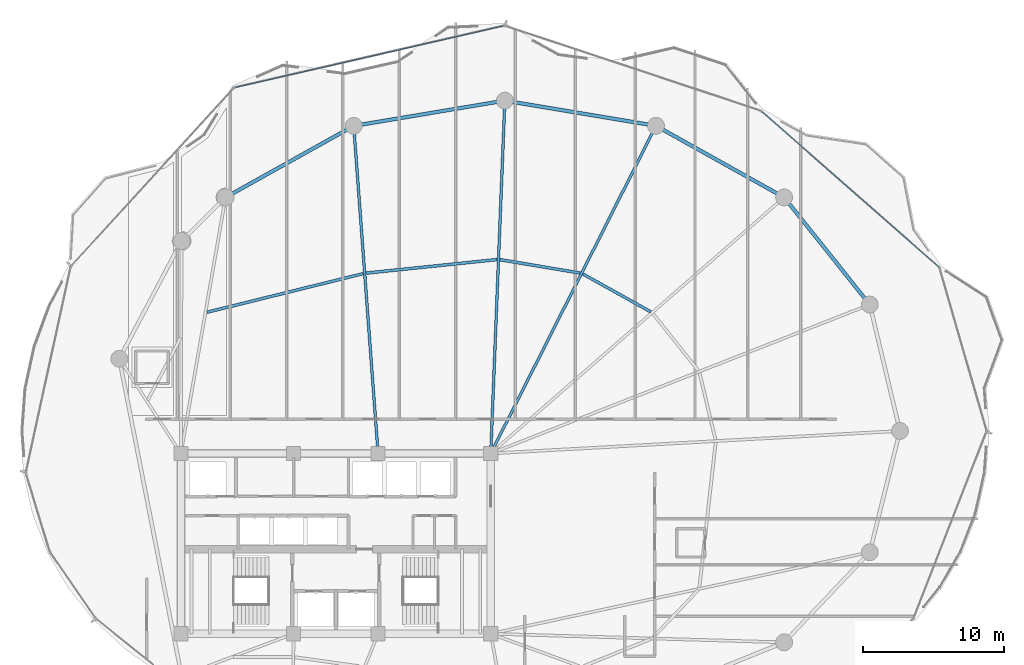
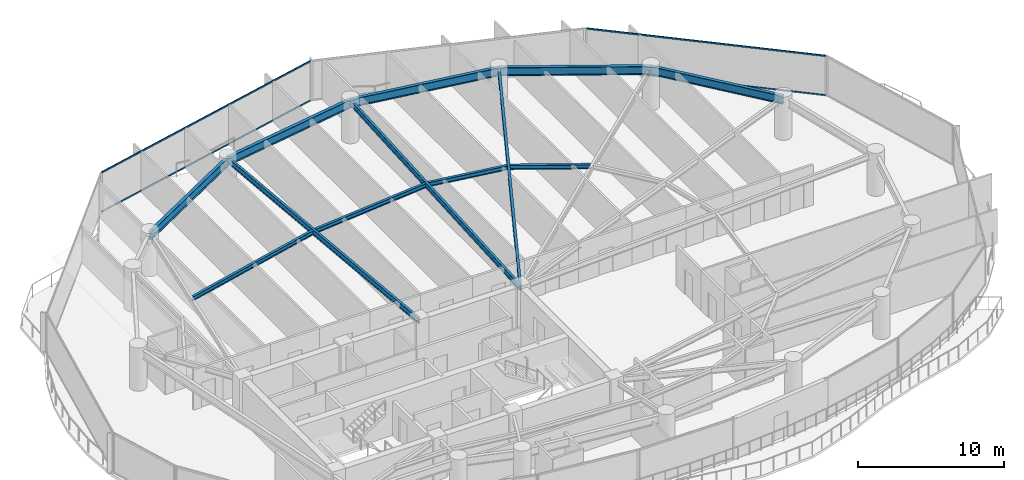
# One storey, part 20 of 34: 12 beams, 4 members, 2 elements without a shape of their own.
"""IFC4 building model written with IfcOpenShell, lengths in metres."""

from ifc_helpers import new_model, si_unit, direction, frame, origin, origin_2d, place, context, subcontext, project, spatial, hollow_rectangle, i_section, extrude, material, layer, layer_set, material_profile, profile_set, type_object, element, aggregate, save


model = new_model("IFC4")

# Units and contexts
model_context = context("Model", 3, precision=1e-05, world=origin(), true_north=direction((0.0, 1.0)))
body_context = subcontext(model_context, "Body", "Model", "MODEL_VIEW")
ifc_project = project(units=[si_unit("LENGTHUNIT", "METRE"), si_unit("AREAUNIT", "SQUARE_METRE"), si_unit("VOLUMEUNIT", "CUBIC_METRE"), si_unit("PLANEANGLEUNIT", "RADIAN"), si_unit("MASSUNIT", "GRAM", prefix="KILO")], contexts=[model_context])

# Site, building, storey
site_placement = place(None, origin())
site = spatial("IfcSite", under=ifc_project, at=site_placement, CompositionType="ELEMENT")
building_placement = place(site_placement, origin())
building = spatial("IfcBuilding", under=site, at=building_placement, Name="Kazevale Care Tower and Concert Hall", CompositionType="ELEMENT")
storey_placement = place(building_placement, frame((0.0, 0.0, 163.800048828125)))
storey = spatial("IfcBuildingStorey", under=building, at=storey_placement, Name="L43", CompositionType="ELEMENT", Elevation=163.800048828125)

# Curtain wall, members
ifc_material_1 = material(Name="Aluminium 6063-T6 and Low-E Glass", Category="aluminium")
ifc_layer = layer(ifc_material_1, 0.179931640625)
ifc_layer_set = layer_set([ifc_layer], Name="Aluminium 6063-T6 and Low-E Glass")
curtain_wall_type = type_object("IfcCurtainWallType", Name="Convex Recessed Sunroom Curtain Wall CW-3", PredefinedType="NOTDEFINED", material=ifc_layer_set)
curtain_wall_1_placement = place(storey_placement, origin())
curtain_wall_1 = element("IfcCurtainWall", 1, at=curtain_wall_1_placement, inside=storey, type_object=curtain_wall_type, Name="cw:L43:f15", PredefinedType="NOTDEFINED")
ifc_material_2 = material(Name="Aluminium 6063-T6", Category="aluminium")
ifc_material_profile_1 = material_profile(ifc_material_2, hollow_rectangle(XDim=0.074951171875, YDim=0.1201171875, WallThickness=0.00390625, at=origin_2d()), Name="ALU75x120x4")
ifc_profile_set_1 = profile_set([ifc_material_profile_1], Name="Aluminium 6063-T6")
member_type = type_object("IfcMemberType", Name="CW-3 Transom ALU75x120x4", PredefinedType="USERDEFINED", material=ifc_profile_set_1)
member_1_placement = place(storey_placement, frame((25.857177734375, 62.38671875, 0.037353515625), z_axis=(0.974688165128, 0.22356873833, 0.0), x_axis=(-0.22356873833, 0.974688165128, 0.0)))
member_1 = element("IfcMember", 2, at=member_1_placement, type_object=member_type, Name="CW-3 transom 1.1", ObjectType="TRANSOM", PredefinedType="USERDEFINED", context=body_context, shape_type="SweptSolid", body=[
    extrude(hollow_rectangle(XDim=0.074951171875, YDim=0.1201171875, WallThickness=0.00390625, at=origin_2d()), origin(), (0.0, 0.0, 1.0), 19.52197265625),
])
member_2_placement = place(storey_placement, frame((25.857177734375, 62.38671875, 3.322509765625), z_axis=(0.974688165128, 0.22356873833, 0.0), x_axis=(-0.22356873833, 0.974688165128, 0.0)))
member_2 = element("IfcMember", 3, at=member_2_placement, type_object=member_type, Name="CW-3 transom 1.2", ObjectType="TRANSOM", PredefinedType="USERDEFINED", context=body_context, shape_type="SweptSolid", body=[
    extrude(hollow_rectangle(XDim=0.074951171875, YDim=0.1201171875, WallThickness=0.00390625, at=origin_2d()), origin(), (0.0, 0.0, 1.0), 19.52197265625),
])
aggregate(curtain_wall_1, [member_1, member_2])

curtain_wall_2_placement = place(storey_placement, origin())
curtain_wall_2 = element("IfcCurtainWall", 4, at=curtain_wall_2_placement, inside=storey, type_object=curtain_wall_type, Name="cw:L43:f17", PredefinedType="NOTDEFINED")
member_3_placement = place(storey_placement, frame((63.2392578125, 60.672607421875, 0.037353515625), z_axis=(0.751360456021, -0.659892010202, 0.0), x_axis=(0.659892010202, 0.751360456021, 0.0)))
member_3 = element("IfcMember", 5, at=member_3_placement, type_object=member_type, Name="CW-3 transom 1.1", ObjectType="TRANSOM", PredefinedType="USERDEFINED", context=body_context, shape_type="SweptSolid", body=[
    extrude(hollow_rectangle(XDim=0.074951171875, YDim=0.1201171875, WallThickness=0.00390625, at=origin_2d()), origin(), (0.0, 0.0, 1.0), 16.72998046875),
])
member_4_placement = place(storey_placement, frame((63.2392578125, 60.672607421875, 3.322509765625), z_axis=(0.751360456021, -0.659892010202, 0.0), x_axis=(0.659892010202, 0.751360456021, 0.0)))
member_4 = element("IfcMember", 6, at=member_4_placement, type_object=member_type, Name="CW-3 transom 1.2", ObjectType="TRANSOM", PredefinedType="USERDEFINED", context=body_context, shape_type="SweptSolid", body=[
    extrude(hollow_rectangle(XDim=0.074951171875, YDim=0.1201171875, WallThickness=0.00390625, at=origin_2d()), origin(), (0.0, 0.0, 1.0), 16.72998046875),
])
aggregate(curtain_wall_2, [member_3, member_4])

# Beams
ifc_material_3 = material(Name="Steel ASTM A572 Gr 50", Category="steel")
ifc_material_profile_2 = material_profile(ifc_material_3, i_section(OverallWidth=0.19091796875, OverallDepth=0.4599609375, WebThickness=0.010009765625, FlangeThickness=0.01611328125, at=origin_2d()), Name="W460x82")
ifc_profile_set_2 = profile_set([ifc_material_profile_2], Name="Steel ASTM A572 Gr 50")
beam_type_1 = type_object("IfcBeamType", Name="Radial Floor Beam W460x82", PredefinedType="BEAM", material=ifc_profile_set_2)
beam_1_placement = place(storey_placement, frame((44.0, 36.39990234375, 3.1298828125), z_axis=(0.450281187568, 0.892886808124, 0.0), x_axis=(-0.892886808124, 0.450281187568, 0.0)))
element("IfcBeam", 7, at=beam_1_placement, inside=storey, type_object=beam_type_1, Name="beam:L43:rad:04", PredefinedType="BEAM", context=body_context, shape_type="SweptSolid", body=[
    extrude(i_section(OverallWidth=0.19091796875, OverallDepth=0.4599609375, WebThickness=0.010009765625, FlangeThickness=0.01611328125, at=origin_2d()), origin(), (0.0, 0.0, 1.0), 26.05029296875),
])
beam_2_placement = place(storey_placement, frame((44.0, 36.39990234375, 3.1298828125), z_axis=(0.039888311255, 0.99920414462, 0.0), x_axis=(-0.99920414462, 0.039888311255, 0.0)))
element("IfcBeam", 8, at=beam_2_placement, inside=storey, type_object=beam_type_1, Name="beam:L43:rad:05", PredefinedType="BEAM", context=body_context, shape_type="SweptSolid", body=[
    extrude(i_section(OverallWidth=0.19091796875, OverallDepth=0.4599609375, WebThickness=0.010009765625, FlangeThickness=0.01611328125, at=origin_2d()), origin(), (0.0, 0.0, 1.0), 25.070068359375),
])
beam_3_placement = place(storey_placement, frame((36.0, 36.39990234375, 3.1298828125), z_axis=(-0.074170876808, 0.997245547011, 0.0), x_axis=(-0.997245547011, -0.074170876808, 0.0)))
element("IfcBeam", 9, at=beam_3_placement, inside=storey, type_object=beam_type_1, Name="beam:L43:rad:06", PredefinedType="BEAM", context=body_context, shape_type="SweptSolid", body=[
    extrude(i_section(OverallWidth=0.19091796875, OverallDepth=0.4599609375, WebThickness=0.010009765625, FlangeThickness=0.01611328125, at=origin_2d()), origin(), (0.0, 0.0, 1.0), 23.32421875),
])
ifc_material_profile_3 = material_profile(ifc_material_3, i_section(OverallWidth=0.205078125, OverallDepth=0.35400390625, WebThickness=0.009521484375, FlangeThickness=0.016845703125, at=origin_2d()), Name="W360x79")
ifc_profile_set_3 = profile_set([ifc_material_profile_3], Name="Steel ASTM A572 Gr 50")
beam_type_2 = type_object("IfcBeamType", Name="Secondary Floor Joist W360x79", PredefinedType="JOIST", material=ifc_profile_set_3)
beam_4_placement = place(storey_placement, frame((55.364990234375, 46.449951171875, 3.182861328125), z_axis=(-0.873137755824, 0.487473547338, 0.0), x_axis=(-0.487473547338, -0.873137755824, 0.0)))
element("IfcBeam", 10, at=beam_4_placement, inside=storey, type_object=beam_type_2, Name="beam:L43:joist:03", PredefinedType="JOIST", context=body_context, shape_type="SweptSolid", body=[
    extrude(i_section(OverallWidth=0.205078125, OverallDepth=0.35400390625, WebThickness=0.009521484375, FlangeThickness=0.016845703125, at=origin_2d()), origin(), (0.0, 0.0, 1.0), 5.522705078125),
])
beam_5_placement = place(storey_placement, frame((50.347900390625, 49.2099609375, 3.182861328125), z_axis=(-0.986366476547, 0.164563586324, 0.0), x_axis=(-0.164563586324, -0.986366476547, 0.0)))
element("IfcBeam", 11, at=beam_5_placement, inside=storey, type_object=beam_type_2, Name="beam:L43:joist:04", PredefinedType="JOIST", context=body_context, shape_type="SweptSolid", body=[
    extrude(i_section(OverallWidth=0.205078125, OverallDepth=0.35400390625, WebThickness=0.009521484375, FlangeThickness=0.016845703125, at=origin_2d()), origin(), (0.0, 0.0, 1.0), 5.7724609375),
])
beam_6_placement = place(storey_placement, frame((44.446044921875, 50.1669921875, 3.182861328125), z_axis=(-0.994674810104, -0.10306319491, 0.0), x_axis=(0.10306319491, -0.994674810104, 0.0)))
element("IfcBeam", 12, at=beam_6_placement, inside=storey, type_object=beam_type_2, Name="beam:L43:joist:05", PredefinedType="JOIST", context=body_context, shape_type="SweptSolid", body=[
    extrude(i_section(OverallWidth=0.205078125, OverallDepth=0.35400390625, WebThickness=0.009521484375, FlangeThickness=0.016845703125, at=origin_2d()), origin(), (0.0, 0.0, 1.0), 9.3427734375),
])
beam_7_placement = place(storey_placement, frame((34.947021484375, 49.16796875, 3.182861328125), z_axis=(-0.970789504014, -0.239932779954, 0.0), x_axis=(0.239932779954, -0.970789504014, 0.0)))
element("IfcBeam", 13, at=beam_7_placement, inside=storey, type_object=beam_type_2, Name="beam:L43:joist:06", PredefinedType="JOIST", context=body_context, shape_type="SweptSolid", body=[
    extrude(i_section(OverallWidth=0.205078125, OverallDepth=0.35400390625, WebThickness=0.009521484375, FlangeThickness=0.016845703125, at=origin_2d()), origin(), (0.0, 0.0, 1.0), 11.43603515625),
])
ifc_material_profile_4 = material_profile(ifc_material_3, i_section(OverallWidth=0.256103515625, OverallDepth=0.693115234375, WebThickness=0.014404296875, FlangeThickness=0.023681640625, at=origin_2d()), Name="W690x170")
ifc_profile_set_4 = profile_set([ifc_material_profile_4], Name="Steel ASTM A572 Gr 50")
beam_type_3 = type_object("IfcBeamType", Name="Waist Ring Beam W690x170", PredefinedType="BEAM", material=ifc_profile_set_4)
beam_8_placement = place(storey_placement, frame((70.909912109375, 46.969970703125, 3.013427734375), z_axis=(-0.624178340034, 0.781281895242, 0.0), x_axis=(-0.781281895242, -0.624178340034, 0.0)))
element("IfcBeam", 14, at=beam_8_placement, inside=storey, type_object=beam_type_3, Name="beam:L43:ring:02", PredefinedType="BEAM", context=body_context, shape_type="SweptSolid", body=[
    extrude(i_section(OverallWidth=0.256103515625, OverallDepth=0.693115234375, WebThickness=0.014404296875, FlangeThickness=0.023681640625, at=origin_2d()), origin(), (0.0, 0.0, 1.0), 9.740478515625),
])
beam_9_placement = place(storey_placement, frame((64.830078125, 54.580078125, 3.013427734375), z_axis=(-0.873168720251, 0.487418081297, 0.0), x_axis=(-0.487418081297, -0.873168720251, 0.0)))
element("IfcBeam", 15, at=beam_9_placement, inside=storey, type_object=beam_type_3, Name="beam:L43:ring:03", PredefinedType="BEAM", context=body_context, shape_type="SweptSolid", body=[
    extrude(i_section(OverallWidth=0.256103515625, OverallDepth=0.693115234375, WebThickness=0.014404296875, FlangeThickness=0.023681640625, at=origin_2d()), origin(), (0.0, 0.0, 1.0), 10.421875),
])
for number, where, z_axis, x_axis, name in (
    (16, (55.72998046875, 59.659912109375, 3.013427734375), (-0.986368436187, 0.164551840139, 0.0), (-0.164551840139, -0.986368436187, 0.0), "beam:L43:ring:04"),
    (17, (45.0, 61.449951171875, 3.013427734375), (-0.986368436187, -0.164551840139, 0.0), (0.164551840139, -0.986368436187, 0.0), "beam:L43:ring:05"),
):
    element("IfcBeam", number, at=place(storey_placement, frame(where, z_axis=z_axis, x_axis=x_axis)), inside=storey, type_object=beam_type_3, Name=name, PredefinedType="BEAM", context=body_context, shape_type="SweptSolid", body=[
        extrude(i_section(OverallWidth=0.256103515625, OverallDepth=0.693115234375, WebThickness=0.014404296875, FlangeThickness=0.023681640625, at=origin_2d()), origin(), (0.0, 0.0, 1.0), 10.878173828125),
    ])
beam_10_placement = place(storey_placement, frame((34.27001953125, 59.659912109375, 3.013427734375), z_axis=(-0.873168720251, -0.487418081297, 0.0), x_axis=(0.487418081297, -0.873168720251, 0.0)))
element("IfcBeam", 18, at=beam_10_placement, inside=storey, type_object=beam_type_3, Name="beam:L43:ring:06", PredefinedType="BEAM", context=body_context, shape_type="SweptSolid", body=[
    extrude(i_section(OverallWidth=0.256103515625, OverallDepth=0.693115234375, WebThickness=0.014404296875, FlangeThickness=0.023681640625, at=origin_2d()), origin(), (0.0, 0.0, 1.0), 10.421875),
])

save(model, "model.ifc")
